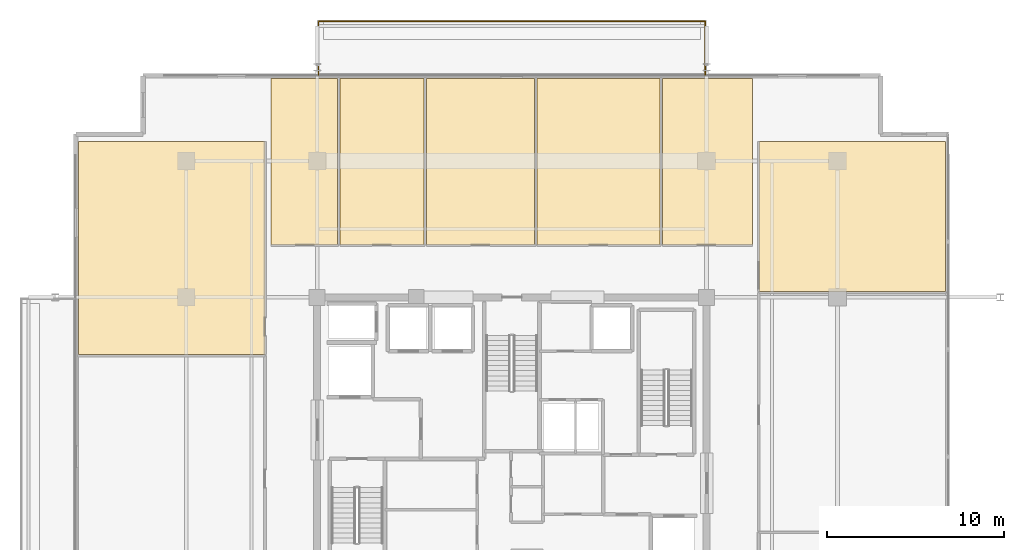
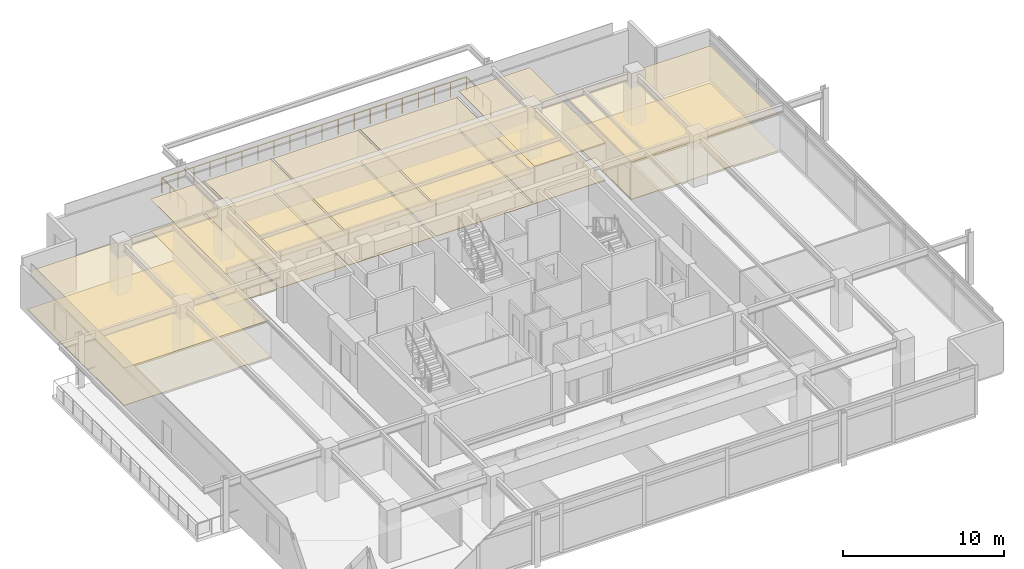
# One storey, part 20 of 20: 14 coverings, 1 railing.
"""IFC4 building model written with IfcOpenShell, lengths in metres."""

from ifc_helpers import new_model, si_unit, direction, frame, origin, origin_2d, place, context, subcontext, project, spatial, polyline, circle, outline, extrude, material, layer, layer_set, type_object, element, save


model = new_model("IFC4")

# Units and contexts
model_context = context("Model", 3, precision=1e-05, world=origin(), true_north=direction((0.0, 1.0)))
body_context = subcontext(model_context, "Body", "Model", "MODEL_VIEW")
ifc_project = project(units=[si_unit("LENGTHUNIT", "METRE"), si_unit("AREAUNIT", "SQUARE_METRE"), si_unit("VOLUMEUNIT", "CUBIC_METRE"), si_unit("PLANEANGLEUNIT", "RADIAN"), si_unit("MASSUNIT", "GRAM", prefix="KILO")], contexts=[model_context])

# Site, building, storey
site_placement = place(None, origin())
site = spatial("IfcSite", under=ifc_project, at=site_placement, CompositionType="ELEMENT")
building_placement = place(site_placement, origin())
building = spatial("IfcBuilding", under=site, at=building_placement, Name="Kovane Verandah Tower", CompositionType="ELEMENT")
storey_placement = place(building_placement, frame((0.0, 0.0, 330.800048828125)))
storey = spatial("IfcBuildingStorey", under=building, at=storey_placement, Name="L77", CompositionType="ELEMENT", Elevation=330.800048828125)

# Coverings
ifc_material_1 = material(Name="Perforated Acoustic Mineral-Fibre Ceiling Tile", Category="gypsum")
ifc_layer_1 = layer(ifc_material_1, 0.02490234375)
ifc_layer_set_1 = layer_set([ifc_layer_1], Name="Perforated Acoustic Mineral-Fibre Ceiling Tile")
covering_type_1 = type_object("IfcCoveringType", Name="CV-CEIL-25", PredefinedType="CEILING", material=ifc_layer_set_1)
covering_1_placement = place(storey_placement, frame((0.0, 0.0, 2.389892578125)))
element("IfcCovering", 1, at=covering_1_placement, inside=storey, type_object=covering_type_1, Name="L77 Focus Studio N1 Acoustic Ceiling", PredefinedType="CEILING", context=body_context, shape_type="SweptSolid", body=[
    extrude(outline(polyline([(26.39990234375, 39.449951171875), (30.137939453125, 39.449951171875), (30.137939453125, 48.8681640625), (26.39990234375, 48.8681640625), (26.39990234375, 39.449951171875)])), origin(), (0.0, 0.0, 1.0), 0.025146484375),
])
covering_2_placement = place(storey_placement, frame((0.0, 0.0, 2.389892578125)))
element("IfcCovering", 2, at=covering_2_placement, inside=storey, type_object=covering_type_1, Name="L77 Breakout Pantry N2 Acoustic Ceiling", PredefinedType="CEILING", context=body_context, shape_type="SweptSolid", body=[
    extrude(outline(polyline([(30.278076171875, 39.449951171875), (35.033935546875, 39.449951171875), (35.033935546875, 48.8681640625), (30.278076171875, 48.8681640625), (30.278076171875, 39.449951171875)])), origin(), (0.0, 0.0, 1.0), 0.025146484375),
])
covering_3_placement = place(storey_placement, frame((0.0, 0.0, 2.389892578125)))
element("IfcCovering", 3, at=covering_3_placement, inside=storey, type_object=covering_type_1, Name="L77 Collaboration Hub N3 Acoustic Ceiling", PredefinedType="CEILING", context=body_context, shape_type="SweptSolid", body=[
    extrude(outline(polyline([(35.174072265625, 39.449951171875), (41.2900390625, 39.449951171875), (41.2900390625, 48.8681640625), (35.174072265625, 48.8681640625), (35.174072265625, 39.449951171875)])), origin(), (0.0, 0.0, 1.0), 0.025146484375),
])
covering_4_placement = place(storey_placement, frame((0.0, 0.0, 2.389892578125)))
element("IfcCovering", 4, at=covering_4_placement, inside=storey, type_object=covering_type_1, Name="L77 Document and Print Room N4 Acoustic Ceiling", PredefinedType="CEILING", context=body_context, shape_type="SweptSolid", body=[
    extrude(outline(polyline([(41.429931640625, 39.449951171875), (48.362060546875, 39.449951171875), (48.362060546875, 48.8681640625), (41.429931640625, 48.8681640625), (41.429931640625, 39.449951171875)])), origin(), (0.0, 0.0, 1.0), 0.025146484375),
])
covering_5_placement = place(storey_placement, frame((0.0, 0.0, 2.824951171875)))
element("IfcCovering", 5, at=covering_5_placement, inside=storey, type_object=covering_type_1, Name="L77 Open Plan Office N5 Acoustic Ceiling", PredefinedType="CEILING", context=body_context, shape_type="SweptSolid", body=[
    extrude(outline(polyline([(48.501953125, 39.449951171875), (53.60009765625, 39.449951171875), (53.60009765625, 48.8681640625), (48.501953125, 48.8681640625), (48.501953125, 39.449951171875)])), origin(), (0.0, 0.0, 1.0), 0.02490234375),
])
covering_6_placement = place(storey_placement, frame((0.0, 0.0, 2.824951171875)))
element("IfcCovering", 6, at=covering_6_placement, inside=storey, type_object=covering_type_1, Name="L77 Document and Print Room W3 Acoustic Ceiling", PredefinedType="CEILING", context=body_context, shape_type="SweptSolid", body=[
    extrude(outline(polyline([(15.513671875, 33.271728515625), (26.050048828125, 33.271728515625), (26.050048828125, 45.318115234375), (15.513671875, 45.318115234375), (15.513671875, 33.271728515625)])), origin(), (0.0, 0.0, 1.0), 0.02490234375),
])
covering_7_placement = place(storey_placement, frame((0.0, 0.0, 2.824951171875)))
element("IfcCovering", 7, at=covering_7_placement, inside=storey, type_object=covering_type_1, Name="L77 Client Boardroom E3 Acoustic Ceiling", PredefinedType="CEILING", context=body_context, shape_type="SweptSolid", body=[
    extrude(outline(polyline([(53.949951171875, 36.83544921875), (64.486328125, 36.83544921875), (64.486328125, 45.318115234375), (53.949951171875, 45.318115234375), (53.949951171875, 36.83544921875)])), origin(), (0.0, 0.0, 1.0), 0.02490234375),
])
ifc_material_2 = material(Name="Polished Terrazzo and Raised-Access Carpet Tile Finish", Category="concrete")
ifc_layer_2 = layer(ifc_material_2, 0.030029296875)
ifc_layer_set_2 = layer_set([ifc_layer_2], Name="Polished Terrazzo and Raised-Access Carpet Tile Finish")
covering_type_2 = type_object("IfcCoveringType", Name="CV-FLOR-30", PredefinedType="FLOORING", material=ifc_layer_set_2)
covering_8_placement = place(storey_placement, origin())
element("IfcCovering", 8, at=covering_8_placement, inside=storey, type_object=covering_type_2, Name="L77 Focus Studio N1 Floor Finish", PredefinedType="FLOORING", context=body_context, shape_type="SweptSolid", body=[
    extrude(outline(polyline([(26.39990234375, 39.449951171875), (30.137939453125, 39.449951171875), (30.137939453125, 48.8681640625), (26.39990234375, 48.8681640625), (26.39990234375, 39.449951171875)])), origin(), (0.0, 0.0, 1.0), 0.030029296875),
])
covering_9_placement = place(storey_placement, origin())
element("IfcCovering", 9, at=covering_9_placement, inside=storey, type_object=covering_type_2, Name="L77 Breakout Pantry N2 Floor Finish", PredefinedType="FLOORING", context=body_context, shape_type="SweptSolid", body=[
    extrude(outline(polyline([(30.278076171875, 39.449951171875), (35.033935546875, 39.449951171875), (35.033935546875, 48.8681640625), (30.278076171875, 48.8681640625), (30.278076171875, 39.449951171875)])), origin(), (0.0, 0.0, 1.0), 0.030029296875),
])
covering_10_placement = place(storey_placement, origin())
element("IfcCovering", 10, at=covering_10_placement, inside=storey, type_object=covering_type_2, Name="L77 Collaboration Hub N3 Floor Finish", PredefinedType="FLOORING", context=body_context, shape_type="SweptSolid", body=[
    extrude(outline(polyline([(35.174072265625, 39.449951171875), (41.2900390625, 39.449951171875), (41.2900390625, 48.8681640625), (35.174072265625, 48.8681640625), (35.174072265625, 39.449951171875)])), origin(), (0.0, 0.0, 1.0), 0.030029296875),
])
covering_11_placement = place(storey_placement, origin())
element("IfcCovering", 11, at=covering_11_placement, inside=storey, type_object=covering_type_2, Name="L77 Document and Print Room N4 Floor Finish", PredefinedType="FLOORING", context=body_context, shape_type="SweptSolid", body=[
    extrude(outline(polyline([(41.429931640625, 39.449951171875), (48.362060546875, 39.449951171875), (48.362060546875, 48.8681640625), (41.429931640625, 48.8681640625), (41.429931640625, 39.449951171875)])), origin(), (0.0, 0.0, 1.0), 0.030029296875),
])
covering_12_placement = place(storey_placement, origin())
element("IfcCovering", 12, at=covering_12_placement, inside=storey, type_object=covering_type_2, Name="L77 Open Plan Office N5 Floor Finish", PredefinedType="FLOORING", context=body_context, shape_type="SweptSolid", body=[
    extrude(outline(polyline([(48.501953125, 39.449951171875), (53.60009765625, 39.449951171875), (53.60009765625, 48.8681640625), (48.501953125, 48.8681640625), (48.501953125, 39.449951171875)])), origin(), (0.0, 0.0, 1.0), 0.030029296875),
])
covering_13_placement = place(storey_placement, origin())
element("IfcCovering", 13, at=covering_13_placement, inside=storey, type_object=covering_type_2, Name="L77 Document and Print Room W3 Floor Finish", PredefinedType="FLOORING", context=body_context, shape_type="SweptSolid", body=[
    extrude(outline(polyline([(15.513671875, 33.271728515625), (26.050048828125, 33.271728515625), (26.050048828125, 45.318115234375), (15.513671875, 45.318115234375), (15.513671875, 33.271728515625)])), origin(), (0.0, 0.0, 1.0), 0.030029296875),
])
covering_14_placement = place(storey_placement, origin())
element("IfcCovering", 14, at=covering_14_placement, inside=storey, type_object=covering_type_2, Name="L77 Client Boardroom E3 Floor Finish", PredefinedType="FLOORING", context=body_context, shape_type="SweptSolid", body=[
    extrude(outline(polyline([(53.949951171875, 36.83544921875), (64.486328125, 36.83544921875), (64.486328125, 45.318115234375), (53.949951171875, 45.318115234375), (53.949951171875, 36.83544921875)])), origin(), (0.0, 0.0, 1.0), 0.030029296875),
])

# Railing
ifc_material_3 = material(Name="Laminated Glass and Pale-Champagne Stainless Balustrade", Category="glass")
railing_type = type_object("IfcRailingType", Name="RL-BAL-1150", PredefinedType="BALUSTRADE", material=ifc_material_3)
railing_placement = place(storey_placement, frame((29.080078125, 49.068115234375, 0.0)))
element("IfcRailing", 15, at=railing_placement, inside=storey, type_object=railing_type, Name="L77 N Verandah Glass Balustrade", PredefinedType="BALUSTRADE", context=body_context, shape_type="SweptSolid", body=[
    extrude(circle(Radius=0.02392578125, at=origin_2d()), frame((0.0, 0.0, 1.1259765625), z_axis=(0.0, 1.0, 0.0), x_axis=(-1.0, 0.0, 0.0)), (0.0, 0.0, 1.0), 3.02001953125),
    extrude(circle(Radius=0.02392578125, at=origin_2d()), frame((0.0, 3.02001953125, 1.1259765625), z_axis=(1.0, 0.0, 0.0), x_axis=(0.0, 1.0, 0.0)), (0.0, 0.0, 1.0), 21.83984375),
    extrude(circle(Radius=0.02392578125, at=origin_2d()), frame((21.83984375, 3.02001953125, 1.1259765625), z_axis=(0.0, -1.0, 0.0), x_axis=(1.0, 0.0, 0.0)), (0.0, 0.0, 1.0), 3.02001953125),
    extrude(circle(Radius=0.02099609375, at=origin_2d()), origin(), (0.0, 0.0, 1.0), 1.101806640625),
    extrude(circle(Radius=0.02099609375, at=origin_2d()), frame((0.0, 1.006591796875, 0.0)), (0.0, 0.0, 1.0), 1.101806640625),
    extrude(circle(Radius=0.02099609375, at=origin_2d()), frame((0.0, 2.013427734375, 0.0)), (0.0, 0.0, 1.0), 1.101806640625),
    extrude(circle(Radius=0.02099609375, at=origin_2d()), frame((0.0, 3.02001953125, 0.0)), (0.0, 0.0, 1.0), 1.101806640625),
    extrude(circle(Radius=0.02099609375, at=origin_2d()), frame((1.1494140625, 3.02001953125, 0.0)), (0.0, 0.0, 1.0), 1.101806640625),
    extrude(circle(Radius=0.02099609375, at=origin_2d()), frame((2.298828125, 3.02001953125, 0.0)), (0.0, 0.0, 1.0), 1.101806640625),
    extrude(circle(Radius=0.02099609375, at=origin_2d()), frame((3.448486328125, 3.02001953125, 0.0)), (0.0, 0.0, 1.0), 1.101806640625),
    extrude(circle(Radius=0.02099609375, at=origin_2d()), frame((4.597900390625, 3.02001953125, 0.0)), (0.0, 0.0, 1.0), 1.101806640625),
    extrude(circle(Radius=0.02099609375, at=origin_2d()), frame((5.747314453125, 3.02001953125, 0.0)), (0.0, 0.0, 1.0), 1.101806640625),
    extrude(circle(Radius=0.02099609375, at=origin_2d()), frame((6.896728515625, 3.02001953125, 0.0)), (0.0, 0.0, 1.0), 1.101806640625),
    extrude(circle(Radius=0.02099609375, at=origin_2d()), frame((8.046142578125, 3.02001953125, 0.0)), (0.0, 0.0, 1.0), 1.101806640625),
    extrude(circle(Radius=0.02099609375, at=origin_2d()), frame((9.19580078125, 3.02001953125, 0.0)), (0.0, 0.0, 1.0), 1.101806640625),
    extrude(circle(Radius=0.02099609375, at=origin_2d()), frame((10.34521484375, 3.02001953125, 0.0)), (0.0, 0.0, 1.0), 1.101806640625),
    extrude(circle(Radius=0.02099609375, at=origin_2d()), frame((11.49462890625, 3.02001953125, 0.0)), (0.0, 0.0, 1.0), 1.101806640625),
    extrude(circle(Radius=0.02099609375, at=origin_2d()), frame((12.64404296875, 3.02001953125, 0.0)), (0.0, 0.0, 1.0), 1.101806640625),
    extrude(circle(Radius=0.02099609375, at=origin_2d()), frame((13.793701171875, 3.02001953125, 0.0)), (0.0, 0.0, 1.0), 1.101806640625),
    extrude(circle(Radius=0.02099609375, at=origin_2d()), frame((14.943115234375, 3.02001953125, 0.0)), (0.0, 0.0, 1.0), 1.101806640625),
    extrude(circle(Radius=0.02099609375, at=origin_2d()), frame((16.092529296875, 3.02001953125, 0.0)), (0.0, 0.0, 1.0), 1.101806640625),
    extrude(circle(Radius=0.02099609375, at=origin_2d()), frame((17.241943359375, 3.02001953125, 0.0)), (0.0, 0.0, 1.0), 1.101806640625),
    extrude(circle(Radius=0.02099609375, at=origin_2d()), frame((18.391357421875, 3.02001953125, 0.0)), (0.0, 0.0, 1.0), 1.101806640625),
    extrude(circle(Radius=0.02099609375, at=origin_2d()), frame((19.541015625, 3.02001953125, 0.0)), (0.0, 0.0, 1.0), 1.101806640625),
    extrude(circle(Radius=0.02099609375, at=origin_2d()), frame((20.6904296875, 3.02001953125, 0.0)), (0.0, 0.0, 1.0), 1.101806640625),
    extrude(circle(Radius=0.02099609375, at=origin_2d()), frame((21.83984375, 3.02001953125, 0.0)), (0.0, 0.0, 1.0), 1.101806640625),
    extrude(circle(Radius=0.02099609375, at=origin_2d()), frame((21.83984375, 2.013427734375, 0.0)), (0.0, 0.0, 1.0), 1.101806640625),
    extrude(circle(Radius=0.02099609375, at=origin_2d()), frame((21.83984375, 1.006591796875, 0.0)), (0.0, 0.0, 1.0), 1.101806640625),
    extrude(circle(Radius=0.02099609375, at=origin_2d()), frame((21.83984375, 0.0, 0.0)), (0.0, 0.0, 1.0), 1.101806640625),
])

save(model, "model.ifc")
